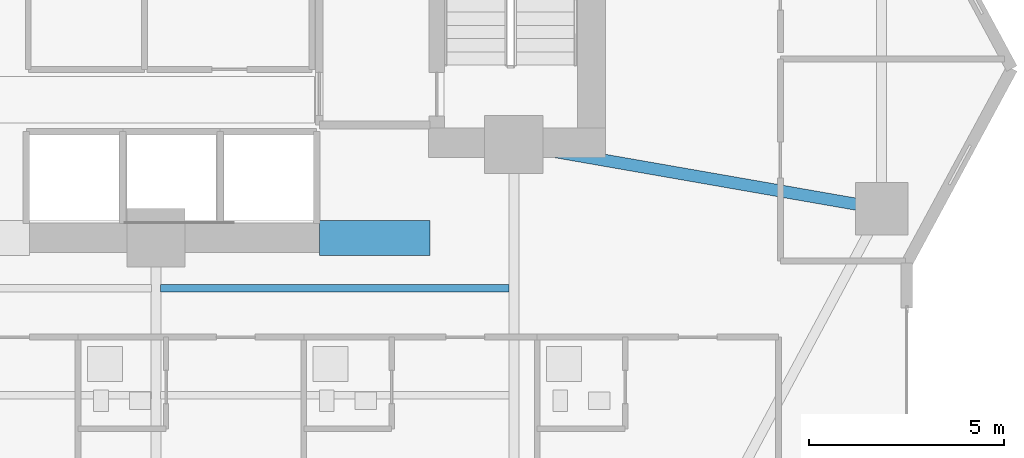
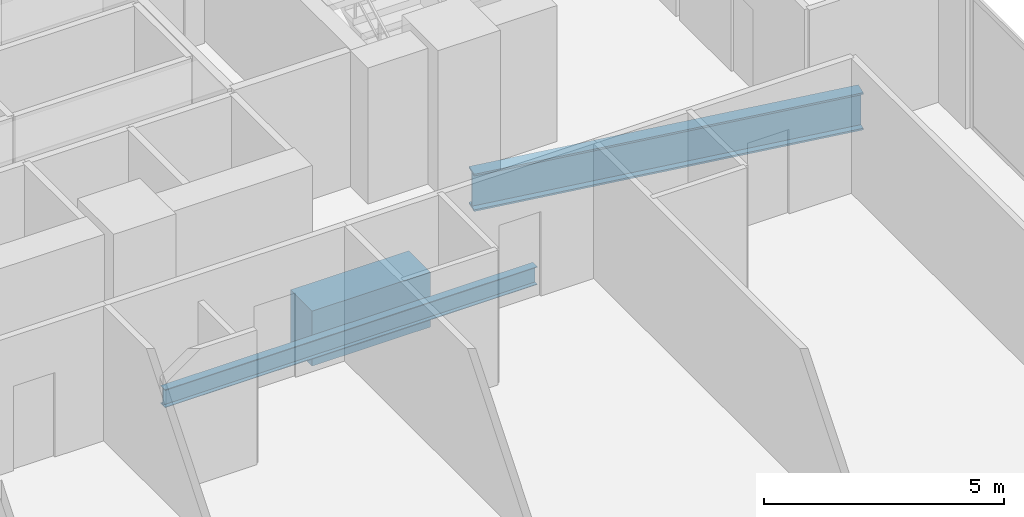
# One storey, part 12 of 29: 3 beams.
"""IFC4 building model written with IfcOpenShell, lengths in metres."""

import ifcopenshell
import ifcopenshell.guid

model = None  # the IFC model being written
_history = None  # IfcOwnerHistory: only IFC2X3 demands one
_inside = {}  # id of a spatial element -> (the spatial element, [elements in it])
_under = {}  # id of a project, library or spatial element -> (it, [spatial elements below it])
_declared = {}  # id of a project -> (the project, [libraries it declares])
_typed = {}  # id of a type object -> (the type object, [elements of that type])
_made_of = {}  # id of a material, layer set ... -> (it, [elements and type objects made of it])


def new_model(schema):
    """Start an empty IFC model of exactly this schema.

    Asked for "IFC4X3", IfcOpenShell would pick the latest addendum, in which some entities
    have other attributes; the version numbers below select the first issue.
    IFC2X3 requires an IfcOwnerHistory on every rooted entity: one is made here for all.
    """
    global model, _history
    if schema == "IFC4X3":
        model = ifcopenshell.file(schema_version=(4, 3, 0, 0))
    else:
        model = ifcopenshell.file(schema=schema)
    _inside.clear()
    _under.clear()
    _declared.clear()
    _typed.clear()
    _made_of.clear()
    _history = None
    if model.schema == "IFC2X3":
        org = make("IfcOrganization", Name="unknown")
        user = make(
            "IfcPersonAndOrganization",
            ThePerson=make("IfcPerson", FamilyName="unknown"),
            TheOrganization=org,
        )
        app = make(
            "IfcApplication",
            ApplicationDeveloper=org,
            Version="unknown",
            ApplicationFullName="unknown",
            ApplicationIdentifier="unknown",
        )
        _history = make(
            "IfcOwnerHistory",
            OwningUser=user,
            OwningApplication=app,
            ChangeAction="ADDED",
            CreationDate=0,
        )
    return model


def make(cls, **values):
    """One entity of the class cls with the attributes given. An attribute that is None is left unset."""
    return model.create_entity(
        cls, **{name: value for name, value in values.items() if value is not None}
    )


def rooted(cls, **values):
    """An entity with a GlobalId (a new one), such as an element, a storey or a relation."""
    return make(cls, GlobalId=ifcopenshell.guid.new(), OwnerHistory=_history, **values)


def si_unit(unit_type, name, prefix=None):
    """IfcSIUnit, for example si_unit("LENGTHUNIT", "METRE", prefix="MILLI")."""
    return make("IfcSIUnit", UnitType=unit_type, Prefix=prefix, Name=name)


def assignment(units):
    """IfcUnitAssignment: the units of a project."""
    return None if units is None else make("IfcUnitAssignment", Units=units)


def point(xyz):
    """IfcCartesianPoint."""
    return None if xyz is None else make("IfcCartesianPoint", Coordinates=xyz)


def direction(xyz):
    """IfcDirection."""
    return None if xyz is None else make("IfcDirection", DirectionRatios=xyz)


def frame(location, z_axis=None, x_axis=None):
    """IfcAxis2Placement3D, a coordinate frame: its origin and axes. An axis left out is left unset."""
    return make(
        "IfcAxis2Placement3D",
        Location=point(location),
        Axis=direction(z_axis),
        RefDirection=direction(x_axis),
    )


def frame_2d(location, x_axis=None):
    """IfcAxis2Placement2D, a coordinate frame in the plane: its origin and x axis."""
    return make(
        "IfcAxis2Placement2D", Location=point(location), RefDirection=direction(x_axis)
    )


def origin():
    """The frame at (0, 0, 0) with its axes left unset."""
    return frame((0.0, 0.0, 0.0))


def origin_2d():
    """The frame at (0, 0) in the plane with its x axis left unset."""
    return frame_2d((0.0, 0.0))


def place(relative_to, where):
    """IfcLocalPlacement: puts the frame where relative to a parent placement (None: the world)."""
    return make(
        "IfcLocalPlacement", PlacementRelTo=relative_to, RelativePlacement=where
    )


def context(
    kind, dimensions, precision=None, world=None, true_north=None, identifier=None
):
    """IfcGeometricRepresentationContext, for example the 3D "Model" context."""
    return make(
        "IfcGeometricRepresentationContext",
        ContextIdentifier=identifier,
        ContextType=kind,
        CoordinateSpaceDimension=dimensions,
        Precision=precision,
        WorldCoordinateSystem=world,
        TrueNorth=true_north,
    )


def subcontext(parent, identifier, kind, view, scale=None):
    """IfcGeometricRepresentationSubContext, for example "Body" below "Model"."""
    return make(
        "IfcGeometricRepresentationSubContext",
        ContextIdentifier=identifier,
        ContextType=kind,
        ParentContext=parent,
        TargetScale=scale,
        TargetView=view,
    )


def project(units=None, contexts=None):
    """IfcProject with its units and contexts."""
    return rooted(
        "IfcProject",
        Name="project",
        RepresentationContexts=contexts,
        UnitsInContext=assignment(units),
    )


def spatial(cls, under=None, at=None, **own):
    """A site, building, storey or space (cls), placed at a placement, below another one or the project."""
    s = rooted(cls, ObjectPlacement=at, **own)
    if under is not None:
        _under.setdefault(under.id(), (under, []))[1].append(s)
    return s


def profile(cls, at=None, kind="AREA", **sizes):
    """A parametric profile (cls). Its sizes go by their IFC names, for example OverallWidth=200.0."""
    return make(cls, ProfileType=kind, Position=at, **sizes)


def rectangle(**sizes):
    """IfcRectangleProfileDef."""
    return profile("IfcRectangleProfileDef", **sizes)


def i_section(**sizes):
    """IfcIShapeProfileDef."""
    return profile("IfcIShapeProfileDef", **sizes)


def extrude(swept, where, along, depth):
    """IfcExtrudedAreaSolid: the profile swept, set in the frame where, extruded along a direction by depth."""
    return make(
        "IfcExtrudedAreaSolid",
        SweptArea=swept,
        Position=where,
        ExtrudedDirection=direction(along),
        Depth=depth,
    )


def shape(context_of_items, identifier, shape_type, items):
    """IfcShapeRepresentation: the items that make up one representation, for example the "Body"."""
    return make(
        "IfcShapeRepresentation",
        ContextOfItems=context_of_items,
        RepresentationIdentifier=identifier,
        RepresentationType=shape_type,
        Items=items,
    )


def material(Name=None, Category=None):
    """IfcMaterial."""
    return make("IfcMaterial", Name=Name, Category=Category)


def material_profile(
    of_material, cross_section, Name=None, Category=None, Priority=None
):
    """IfcMaterialProfile: a cross section and its material."""
    return make(
        "IfcMaterialProfile",
        Name=Name,
        Material=of_material,
        Profile=cross_section,
        Priority=Priority,
        Category=Category,
    )


def profile_set(profiles, Name=None, composite=None):
    """IfcMaterialProfileSet."""
    return make(
        "IfcMaterialProfileSet",
        Name=Name,
        MaterialProfiles=profiles,
        CompositeProfile=composite,
    )


def made_of(thing, what):
    """Note that an element or type object is made of a material, layer set ...; save() writes the relation."""
    if what is not None:
        _made_of.setdefault(what.id(), (what, []))[1].append(thing)
    return thing


def type_object(cls, material=None, **own):
    """A type object (cls), such as IfcWallType, which elements share."""
    return made_of(rooted(cls, **own), material)


def element(
    cls,
    number,
    at=None,
    inside=None,
    cuts=None,
    type_object=None,
    material=None,
    context=None,
    identifier="Body",
    shape_type=None,
    held_by="IfcProductDefinitionShape",
    body=None,
    shapes=None,
    **own,
):
    """One element of the class cls, such as IfcWall. Its Tag is "e" and its number.

    at: its placement. inside: the storey or other place that contains it. cuts: it is an
    opening in that element (IfcRelVoidsElement). A single representation is given by context,
    identifier, shape_type and body (its items); several are given by shapes. held_by: the class
    of the entity that holds the representations. save() writes the other relations.
    """
    e = rooted(cls, Tag="e%d" % number, ObjectPlacement=at, **own)
    if body is not None:
        shapes = [shape(context, identifier, shape_type, body)]
    if shapes is not None:
        e.Representation = make(held_by, Representations=shapes)
    if inside is not None:
        _inside.setdefault(inside.id(), (inside, []))[1].append(e)
    if cuts is not None:
        rooted(
            "IfcRelVoidsElement", RelatingBuildingElement=cuts, RelatedOpeningElement=e
        )
    if type_object is not None:
        _typed.setdefault(type_object.id(), (type_object, []))[1].append(e)
    return made_of(e, material)


def aggregate(whole, parts):
    """IfcRelAggregates: a whole, such as a stair, and the parts it consists of."""
    return rooted("IfcRelAggregates", RelatingObject=whole, RelatedObjects=parts)


def save(model, path):
    """Write the relations noted so far, then the file.

    IfcRelAggregates (storeys below a building ...), IfcRelContainedInSpatialStructure (elements
    in a storey), IfcRelDefinesByType, IfcRelAssociatesMaterial and IfcRelDeclares: one each for
    every whole, place, type object, material and project.
    """
    for whole, parts in _under.values():
        aggregate(whole, parts)
    for where, things in _inside.values():
        rooted(
            "IfcRelContainedInSpatialStructure",
            RelatedElements=things,
            RelatingStructure=where,
        )
    for kind, things in _typed.values():
        rooted("IfcRelDefinesByType", RelatedObjects=things, RelatingType=kind)
    for what, things in _made_of.values():
        rooted("IfcRelAssociatesMaterial", RelatedObjects=things, RelatingMaterial=what)
    for by, libraries in _declared.values():
        rooted("IfcRelDeclares", RelatingContext=by, RelatedDefinitions=libraries)
    model.write(path)


model = new_model("IFC4")

# Units and contexts
model_context = context("Model", 3, precision=1e-05, world=origin(), true_north=direction((0.0, 1.0)))
body_context = subcontext(model_context, "Body", "Model", "MODEL_VIEW")
ifc_project = project(units=[si_unit("LENGTHUNIT", "METRE"), si_unit("AREAUNIT", "SQUARE_METRE"), si_unit("VOLUMEUNIT", "CUBIC_METRE"), si_unit("PLANEANGLEUNIT", "RADIAN"), si_unit("MASSUNIT", "GRAM", prefix="KILO")], contexts=[model_context])

# Site, building, storey
site_placement = place(None, origin())
site = spatial("IfcSite", under=ifc_project, at=site_placement, CompositionType="ELEMENT")
building_placement = place(site_placement, origin())
building = spatial("IfcBuilding", under=site, at=building_placement, Name="Zuhayl Quay Hotel", CompositionType="ELEMENT")
storey_placement = place(building_placement, frame((0.0, 0.0, 150.39990234375)))
storey = spatial("IfcBuildingStorey", under=building, at=storey_placement, Name="L38", CompositionType="ELEMENT", Elevation=150.39990234375)

# Beams
ifc_material_1 = material(Name="Concrete C60/75", Category="concrete")
ifc_material_profile_1 = material_profile(ifc_material_1, rectangle(XDim=0.89990234375, YDim=1.39990234375, at=origin_2d()), Name="RC900X1400")
ifc_profile_set_1 = profile_set([ifc_material_profile_1], Name="Concrete C60/75")
beam_type_1 = type_object("IfcBeamType", Name="BM_CB1_RC900", PredefinedType="T_BEAM", material=ifc_profile_set_1)
beam_1_placement = place(storey_placement, frame((8.800048828125, 2.14990234375, -0.919921875), z_axis=(1.0, 0.0, 0.0), x_axis=(0.0, 1.0, 0.0)))
element("IfcBeam", 1, at=beam_1_placement, inside=storey, type_object=beam_type_1, Name="L38 Core Coupling Beam SE", PredefinedType="T_BEAM", context=body_context, shape_type="SweptSolid", body=[
    extrude(rectangle(XDim=0.89990234375, YDim=1.39990234375, at=origin_2d()), origin(), (0.0, 0.0, 1.0), 2.849853515625),
])
ifc_material_2 = material(Name="Steel ASTM A992 Grade 50", Category="steel")
ifc_material_profile_2 = material_profile(ifc_material_2, i_section(OverallWidth=0.18994140625, OverallDepth=0.45703125, WebThickness=0.009033203125, FlangeThickness=0.014404296875, at=origin_2d()), Name="W18X50")
ifc_profile_set_2 = profile_set([ifc_material_profile_2], Name="Steel ASTM A992 Grade 50")
beam_type_2 = type_object("IfcBeamType", Name="BM_J2_W18X50", PredefinedType="JOIST", material=ifc_profile_set_2)
beam_2_placement = place(storey_placement, frame((4.718994140625, 0.85009765625, -0.448486328125), z_axis=(1.0, 0.0, 0.0), x_axis=(0.0, 1.0, 0.0)))
element("IfcBeam", 2, at=beam_2_placement, inside=storey, type_object=beam_type_2, Name="L38 Floor Beam FJ_L38_9_3", PredefinedType="JOIST", context=body_context, shape_type="SweptSolid", body=[
    extrude(i_section(OverallWidth=0.18994140625, OverallDepth=0.45703125, WebThickness=0.009033203125, FlangeThickness=0.014404296875, at=origin_2d()), origin(), (0.0, 0.0, 1.0), 8.9619140625),
])
ifc_material_profile_3 = material_profile(ifc_material_2, i_section(OverallWidth=0.31005859375, OverallDepth=0.949951171875, WebThickness=0.0244140625, FlangeThickness=0.0439453125, at=origin_2d()), Name="W36X256")
ifc_profile_set_3 = profile_set([ifc_material_profile_3], Name="Steel ASTM A992 Grade 50")
beam_type_3 = type_object("IfcBeamType", Name="BM_PG1_W36X256", PredefinedType="BEAM", material=ifc_profile_set_3)
beam_3_placement = place(storey_placement, frame((14.243408203125, 4.47265625, -0.69482421875), z_axis=(0.985097302632, -0.171997977741, 0.0), x_axis=(0.171997977741, 0.985097302632, 0.0)))
element("IfcBeam", 3, at=beam_3_placement, inside=storey, type_object=beam_type_3, Name="L38 Floor Beam FG_E_L38_1", PredefinedType="BEAM", context=body_context, shape_type="SweptSolid", body=[
    extrude(i_section(OverallWidth=0.31005859375, OverallDepth=0.949951171875, WebThickness=0.0244140625, FlangeThickness=0.0439453125, at=origin_2d()), origin(), (0.0, 0.0, 1.0), 8.64306640625),
])

save(model, "model.ifc")
